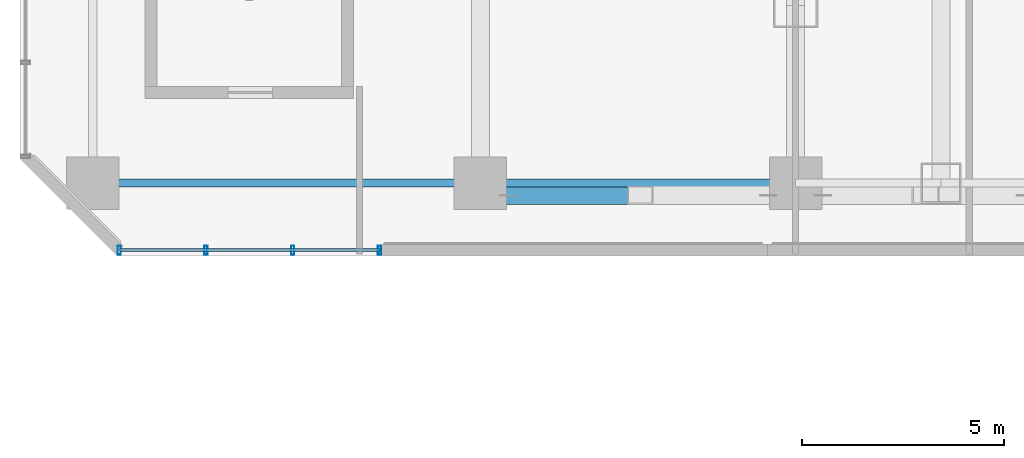
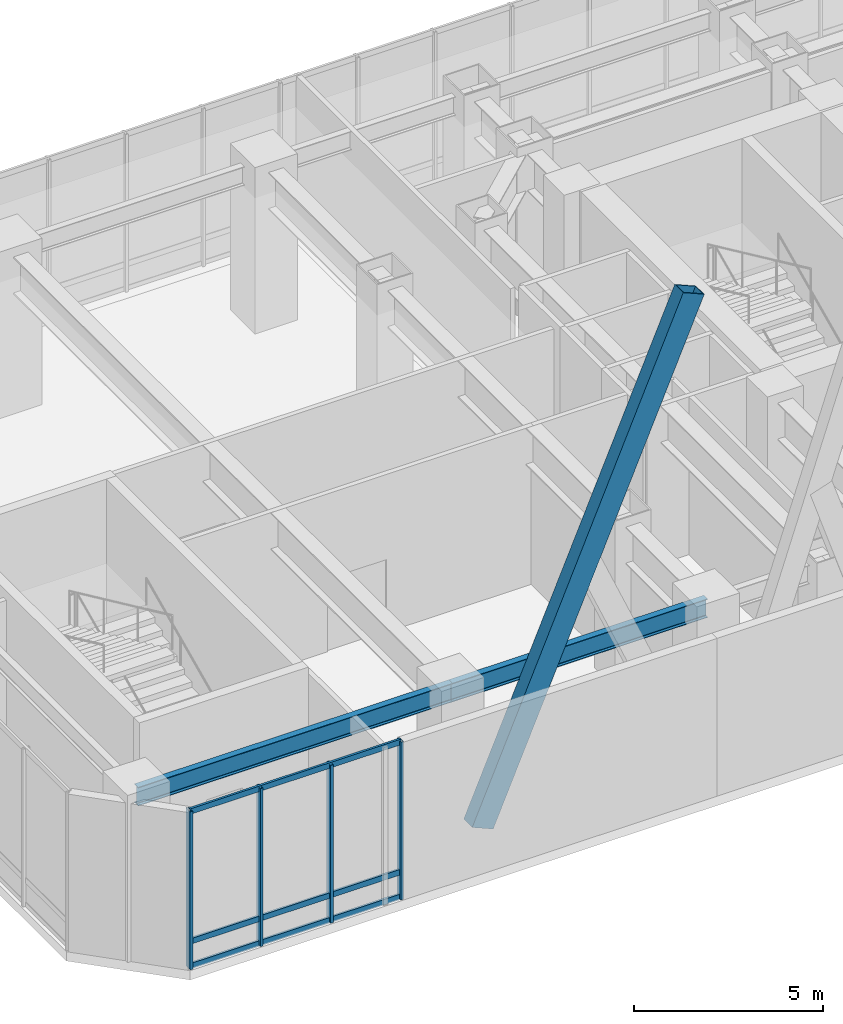
# One storey, part 2 of 35: 8 members, 2 beams, 1 element without a shape of its own.
"""IFC4 building model written with IfcOpenShell, lengths in metres."""

from ifc_helpers import new_model, si_unit, direction, frame, origin, origin_2d, place, context, subcontext, project, spatial, hollow_rectangle, i_section, extrude, material, layer, layer_set, material_profile, profile_set, type_object, element, aggregate, save


model = new_model("IFC4")

# Units and contexts
model_context = context("Model", 3, precision=1e-05, world=origin(), true_north=direction((0.0, 1.0)))
body_context = subcontext(model_context, "Body", "Model", "MODEL_VIEW")
ifc_project = project(units=[si_unit("LENGTHUNIT", "METRE"), si_unit("AREAUNIT", "SQUARE_METRE"), si_unit("VOLUMEUNIT", "CUBIC_METRE"), si_unit("PLANEANGLEUNIT", "RADIAN"), si_unit("MASSUNIT", "GRAM", prefix="KILO")], contexts=[model_context])

# Site, building, storey
site_placement = place(None, origin())
site = spatial("IfcSite", under=ifc_project, at=site_placement, CompositionType="ELEMENT")
building_placement = place(site_placement, origin())
building = spatial("IfcBuilding", under=site, at=building_placement, Name="Hatsunagi Terrace Concourse", CompositionType="ELEMENT")
storey_placement = place(building_placement, frame((0.0, 0.0, 5.39990234375)))
storey = spatial("IfcBuildingStorey", under=building, at=storey_placement, Name="L02", CompositionType="ELEMENT", Elevation=5.39990234375)

# Curtain wall, members
ifc_material_1 = material(Name="Anodised Aluminium Alloy 6063-T5", Category="aluminium")
ifc_layer = layer(ifc_material_1, 0.199951171875)
ifc_layer_set = layer_set([ifc_layer], Name="PodiumStorefront_CW01")
curtain_wall_type = type_object("IfcCurtainWallType", Name="PodiumStorefront_CW01", PredefinedType="NOTDEFINED", material=ifc_layer_set)
curtain_wall_placement = place(storey_placement, origin())
curtain_wall = element("IfcCurtainWall", 1, at=curtain_wall_placement, inside=storey, type_object=curtain_wall_type, Name="Unitised Curtain Wall CW-01 CW-L02-08", PredefinedType="NOTDEFINED")
ifc_material_2 = material(Name="Anodised Aluminium Alloy 6063-T5", Category="aluminium")
ifc_material_profile_1 = material_profile(ifc_material_2, hollow_rectangle(XDim=0.080078125, YDim=0.219970703125, WallThickness=0.0048828125, at=origin_2d()), Name="ALU-MUL-220x80x5")
ifc_profile_set_1 = profile_set([ifc_material_profile_1], Name="Anodised Aluminium Alloy 6063-T5")
member_type_1 = type_object("IfcMemberType", Name="CurtainWallMullion_Heavy_220x80", PredefinedType="MULLION", material=ifc_profile_set_1)
member_1_placement = place(storey_placement, frame((8.89990234375, 23.5400390625, 0.0), z_axis=(0.0, 0.0, 1.0), x_axis=(-1.0, 0.0, 0.0)))
member_1 = element("IfcMember", 2, at=member_1_placement, type_object=member_type_1, Name="Curtain Wall Mullion MUL-01", PredefinedType="MULLION", context=body_context, shape_type="SweptSolid", body=[
    extrude(hollow_rectangle(XDim=0.080078125, YDim=0.219970703125, WallThickness=0.0048828125, at=origin_2d()), origin(), (0.0, 0.0, 1.0), 5.10009765625),
])
member_2_placement = place(storey_placement, frame((6.7529296875, 23.5400390625, 0.0), z_axis=(0.0, 0.0, 1.0), x_axis=(-1.0, 0.0, 0.0)))
member_2 = element("IfcMember", 3, at=member_2_placement, type_object=member_type_1, Name="Curtain Wall Mullion MUL-01", PredefinedType="MULLION", context=body_context, shape_type="SweptSolid", body=[
    extrude(hollow_rectangle(XDim=0.080078125, YDim=0.219970703125, WallThickness=0.0048828125, at=origin_2d()), origin(), (0.0, 0.0, 1.0), 5.10009765625),
])
member_3_placement = place(storey_placement, frame((4.60498046875, 23.5400390625, 0.0), z_axis=(0.0, 0.0, 1.0), x_axis=(-1.0, 0.0, 0.0)))
member_3 = element("IfcMember", 4, at=member_3_placement, type_object=member_type_1, Name="Curtain Wall Mullion MUL-01", PredefinedType="MULLION", context=body_context, shape_type="SweptSolid", body=[
    extrude(hollow_rectangle(XDim=0.080078125, YDim=0.219970703125, WallThickness=0.0048828125, at=origin_2d()), origin(), (0.0, 0.0, 1.0), 5.10009765625),
])
member_4_placement = place(storey_placement, frame((2.4580078125, 23.5400390625, 0.0), z_axis=(0.0, 0.0, 1.0), x_axis=(-1.0, 0.0, 0.0)))
member_4 = element("IfcMember", 5, at=member_4_placement, type_object=member_type_1, Name="Curtain Wall Mullion MUL-01", PredefinedType="MULLION", context=body_context, shape_type="SweptSolid", body=[
    extrude(hollow_rectangle(XDim=0.080078125, YDim=0.219970703125, WallThickness=0.0048828125, at=origin_2d()), origin(), (0.0, 0.0, 1.0), 5.10009765625),
])
ifc_material_3 = material(Name="Anodised Aluminium Alloy 6063-T5", Category="aluminium")
ifc_material_profile_2 = material_profile(ifc_material_3, hollow_rectangle(XDim=0.070068359375, YDim=0.179931640625, WallThickness=0.00390625, at=origin_2d()), Name="ALU-TRN-180x70x4")
ifc_profile_set_2 = profile_set([ifc_material_profile_2], Name="Anodised Aluminium Alloy 6063-T5")
member_type_2 = type_object("IfcMemberType", Name="CurtainWallTransom_Heavy_180x70", PredefinedType="USERDEFINED", material=ifc_profile_set_2)
member_5_placement = place(storey_placement, frame((8.89990234375, 23.5400390625, 0.050048828125), z_axis=(-1.0, 0.0, 0.0), x_axis=(0.0, -1.0, 0.0)))
member_5 = element("IfcMember", 6, at=member_5_placement, type_object=member_type_2, Name="Curtain Wall Transom TRN-01", ObjectType="TRANSOM", PredefinedType="USERDEFINED", context=body_context, shape_type="SweptSolid", body=[
    extrude(hollow_rectangle(XDim=0.070068359375, YDim=0.179931640625, WallThickness=0.00390625, at=origin_2d()), origin(), (0.0, 0.0, 1.0), 6.44189453125),
])
member_6_placement = place(storey_placement, frame((8.89990234375, 23.5400390625, 0.85009765625), z_axis=(-1.0, 0.0, 0.0), x_axis=(0.0, -1.0, 0.0)))
member_6 = element("IfcMember", 7, at=member_6_placement, type_object=member_type_2, Name="Curtain Wall Transom TRN-01", ObjectType="TRANSOM", PredefinedType="USERDEFINED", context=body_context, shape_type="SweptSolid", body=[
    extrude(hollow_rectangle(XDim=0.070068359375, YDim=0.179931640625, WallThickness=0.00390625, at=origin_2d()), origin(), (0.0, 0.0, 1.0), 6.44189453125),
])
member_7_placement = place(storey_placement, frame((8.89990234375, 23.5400390625, 5.050048828125), z_axis=(-1.0, 0.0, 0.0), x_axis=(0.0, -1.0, 0.0)))
member_7 = element("IfcMember", 8, at=member_7_placement, type_object=member_type_2, Name="Curtain Wall Transom TRN-01", ObjectType="TRANSOM", PredefinedType="USERDEFINED", context=body_context, shape_type="SweptSolid", body=[
    extrude(hollow_rectangle(XDim=0.070068359375, YDim=0.179931640625, WallThickness=0.00390625, at=origin_2d()), origin(), (0.0, 0.0, 1.0), 6.44189453125),
])
aggregate(curtain_wall, [member_1, member_2, member_3, member_4, member_5, member_6, member_7])

# Beams
ifc_material_4 = material(Name="Steel SN490B", Category="steel")
ifc_material_profile_3 = material_profile(ifc_material_4, i_section(OverallWidth=0.199951171875, OverallDepth=0.60009765625, WebThickness=0.010986328125, FlangeThickness=0.01708984375, FilletRadius=0.01806640625, at=origin_2d()), Name="H-600x200x11x17")
ifc_profile_set_3 = profile_set([ifc_material_profile_3], Name="Steel SN490B")
beam_type = type_object("IfcBeamType", Name="PerimeterSpandrel_H_600x200", PredefinedType="SPANDREL", material=ifc_profile_set_3)
beam_1_placement = place(storey_placement, frame((1.800048828125, 25.199951171875, 4.800048828125), z_axis=(1.0, 0.0, 0.0), x_axis=(0.0, 1.0, 0.0)))
element("IfcBeam", 9, at=beam_1_placement, inside=storey, type_object=beam_type, Name="Beam SP-01 BM-L02-WS-1", PredefinedType="SPANDREL", context=body_context, shape_type="SweptSolid", body=[
    extrude(i_section(OverallWidth=0.199951171875, OverallDepth=0.60009765625, WebThickness=0.010986328125, FlangeThickness=0.01708984375, FilletRadius=0.01806640625, at=origin_2d()), origin(), (0.0, 0.0, 1.0), 9.599853515625),
])
beam_2_placement = place(storey_placement, frame((11.39990234375, 25.199951171875, 4.800048828125), z_axis=(1.0, 0.0, 0.0), x_axis=(0.0, 1.0, 0.0)))
element("IfcBeam", 10, at=beam_2_placement, inside=storey, type_object=beam_type, Name="Beam SP-01 BM-L02-WS-11", PredefinedType="SPANDREL", context=body_context, shape_type="SweptSolid", body=[
    extrude(i_section(OverallWidth=0.199951171875, OverallDepth=0.60009765625, WebThickness=0.010986328125, FlangeThickness=0.01708984375, FilletRadius=0.01806640625, at=origin_2d()), origin(), (0.0, 0.0, 1.0), 7.800048828125),
])

# Member
ifc_material_5 = material(Name="Steel SN490B", Category="steel")
ifc_material_profile_4 = material_profile(ifc_material_5, hollow_rectangle(XDim=0.449951171875, YDim=0.699951171875, WallThickness=0.028076171875, at=origin_2d()), Name="RHS-700x450x28")
ifc_profile_set_4 = profile_set([ifc_material_profile_4], Name="Steel SN490B")
member_type_3 = type_object("IfcMemberType", Name="PerimeterXBrace_Lower_RHS_700x450x28", PredefinedType="BRACE", material=ifc_profile_set_4)
member_8_placement = place(storey_placement, frame((12.074951171875, 24.89990234375, 0.440185546875), z_axis=(0.394580735797, 0.0, 0.918861275132), x_axis=(0.0, 1.0, 0.0)))
element("IfcMember", 11, at=member_8_placement, inside=storey, type_object=member_type_3, Name="Perimeter X-Brace XB-01 XB-L02-W2A", PredefinedType="BRACE", context=body_context, shape_type="SweptSolid", body=[
    extrude(hollow_rectangle(XDim=0.449951171875, YDim=0.699951171875, WallThickness=0.028076171875, at=origin_2d()), origin(), (0.0, 0.0, 1.0), 16.346435546875),
])

save(model, "model.ifc")
